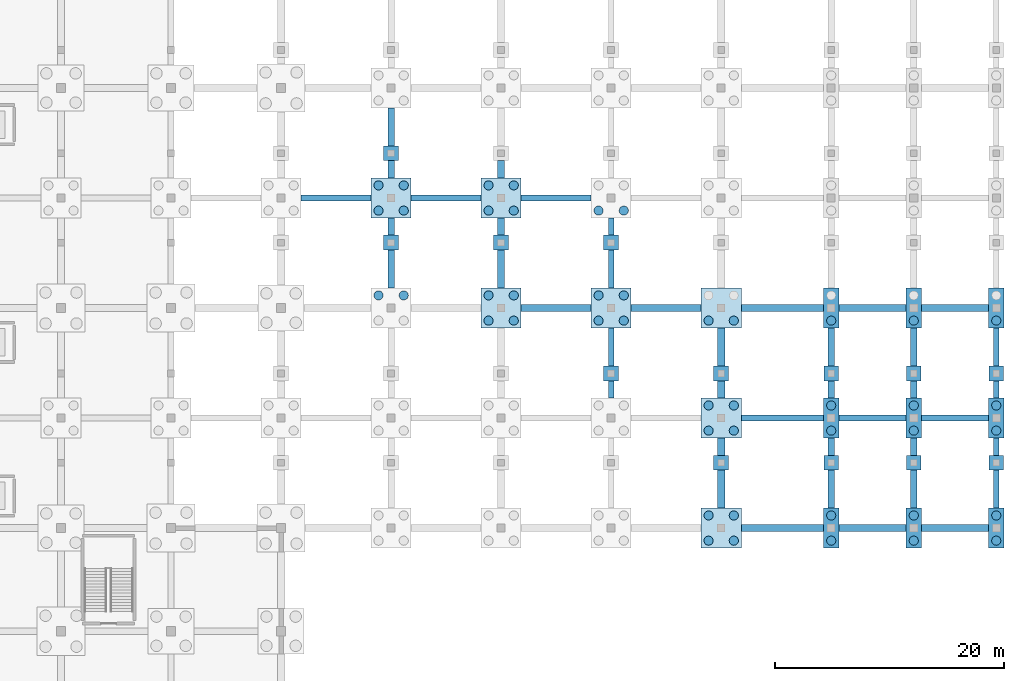
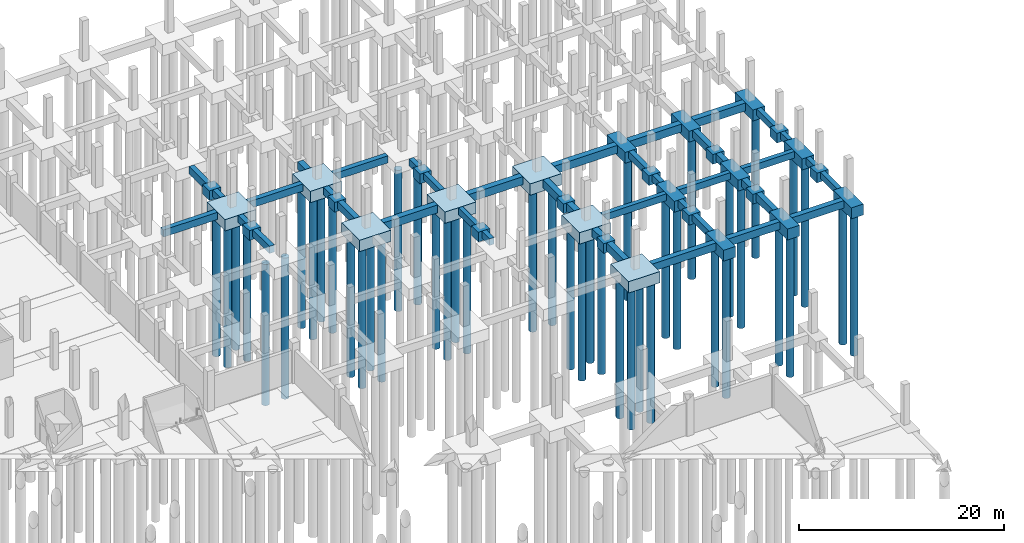
# One storey, part 14 of 39: 70 footings, 45 piles.
"""IFC4 building model written with IfcOpenShell, lengths in metres."""

from ifc_helpers import new_model, si_unit, direction, frame, origin, origin_2d, place, context, subcontext, project, spatial, polyline, rectangle, circle, outline, extrude, material, material_profile, profile_set, type_object, element, save


model = new_model("IFC4")

# Units and contexts
model_context = context("Model", 3, precision=1e-05, world=origin(), true_north=direction((0.0, 1.0)))
body_context = subcontext(model_context, "Body", "Model", "MODEL_VIEW")
ifc_project = project(units=[si_unit("LENGTHUNIT", "METRE"), si_unit("AREAUNIT", "SQUARE_METRE"), si_unit("VOLUMEUNIT", "CUBIC_METRE"), si_unit("PLANEANGLEUNIT", "RADIAN"), si_unit("MASSUNIT", "GRAM", prefix="KILO")], contexts=[model_context])

# Site, building, storey
site_placement = place(None, origin())
site = spatial("IfcSite", under=ifc_project, at=site_placement, CompositionType="ELEMENT")
building_placement = place(site_placement, origin())
building = spatial("IfcBuilding", under=site, at=building_placement, Name="Zarnetskaya Central Station", CompositionType="ELEMENT")
storey_placement = place(building_placement, frame((0.0, 0.0, -4.800048828125)))
storey = spatial("IfcBuildingStorey", under=building, at=storey_placement, Name="B1", CompositionType="ELEMENT", Elevation=-4.800048828125)

# Footings
ifc_material_1 = material(Name="Concrete C30/37", Category="concrete")
footing_type_1 = type_object("IfcFootingType", Name="FB-500x800", PredefinedType="FOOTING_BEAM", material=ifc_material_1)
footing_1_placement = place(storey_placement, frame((0.0, 0.0, -0.800048828125)))
element("IfcFooting", 1, at=footing_1_placement, inside=storey, type_object=footing_type_1, Name="Footing tie beam 10 T-U", PredefinedType="FOOTING_BEAM", context=body_context, shape_type="SweptSolid", body=[
    extrude(outline(polyline([(164.949951171875, 76.550048828125), (172.125, 76.550048828125), (172.125, 77.050048828125), (164.949951171875, 77.050048828125), (164.949951171875, 76.550048828125)])), origin(), (0.0, 0.0, 1.0), 0.800048828125),
])
footing_2_placement = place(storey_placement, frame((0.0, 0.0, -0.800048828125)))
element("IfcFooting", 2, at=footing_2_placement, inside=storey, type_object=footing_type_1, Name="Footing tie beam 10 U-V", PredefinedType="FOOTING_BEAM", context=body_context, shape_type="SweptSolid", body=[
    extrude(outline(polyline([(173.47509765625, 76.550048828125), (179.324951171875, 76.550048828125), (179.324951171875, 77.050048828125), (173.47509765625, 77.050048828125), (173.47509765625, 76.550048828125)])), origin(), (0.0, 0.0, 1.0), 0.800048828125),
])
footing_3_placement = place(storey_placement, frame((0.0, 0.0, -0.800048828125)))
element("IfcFooting", 3, at=footing_3_placement, inside=storey, type_object=footing_type_1, Name="Footing tie beam 10 V-W", PredefinedType="FOOTING_BEAM", context=body_context, shape_type="SweptSolid", body=[
    extrude(outline(polyline([(180.675048828125, 76.550048828125), (186.52490234375, 76.550048828125), (186.52490234375, 77.050048828125), (180.675048828125, 77.050048828125), (180.675048828125, 76.550048828125)])), origin(), (0.0, 0.0, 1.0), 0.800048828125),
])
footing_4_placement = place(storey_placement, frame((0.0, 0.0, -0.800048828125)))
element("IfcFooting", 4, at=footing_4_placement, inside=storey, type_object=footing_type_1, Name="Footing tie beam S 10-11 part 1", PredefinedType="FOOTING_BEAM", context=body_context, shape_type="SweptSolid", body=[
    extrude(outline(polyline([(153.35009765625, 78.550048828125), (153.85009765625, 78.550048828125), (153.85009765625, 80.050048828125), (153.35009765625, 80.050048828125), (153.35009765625, 78.550048828125)])), origin(), (0.0, 0.0, 1.0), 0.800048828125),
])
footing_5_placement = place(storey_placement, frame((0.0, 0.0, -0.800048828125)))
element("IfcFooting", 5, at=footing_5_placement, inside=storey, type_object=footing_type_1, Name="Footing tie beam S 10-11 part 2", PredefinedType="FOOTING_BEAM", context=body_context, shape_type="SweptSolid", body=[
    extrude(outline(polyline([(153.35009765625, 81.35009765625), (153.85009765625, 81.35009765625), (153.85009765625, 84.64990234375), (153.35009765625, 84.64990234375), (153.35009765625, 81.35009765625)])), origin(), (0.0, 0.0, 1.0), 0.800048828125),
])
footing_6_placement = place(storey_placement, frame((0.0, 0.0, -0.800048828125)))
element("IfcFooting", 6, at=footing_6_placement, inside=storey, type_object=footing_type_1, Name="Footing tie beam S 11-12 part 1", PredefinedType="FOOTING_BEAM", context=body_context, shape_type="SweptSolid", body=[
    extrude(outline(polyline([(153.35009765625, 88.14990234375), (153.85009765625, 88.14990234375), (153.85009765625, 91.449951171875), (153.35009765625, 91.449951171875), (153.35009765625, 88.14990234375)])), origin(), (0.0, 0.0, 1.0), 0.800048828125),
])
footing_7_placement = place(storey_placement, frame((0.0, 0.0, -0.800048828125)))
element("IfcFooting", 7, at=footing_7_placement, inside=storey, type_object=footing_type_1, Name="Footing tie beam S 11-12 part 2", PredefinedType="FOOTING_BEAM", context=body_context, shape_type="SweptSolid", body=[
    extrude(outline(polyline([(153.35009765625, 92.75), (153.85009765625, 92.75), (153.85009765625, 94.25), (153.35009765625, 94.25), (153.35009765625, 92.75)])), origin(), (0.0, 0.0, 1.0), 0.800048828125),
])
footing_8_placement = place(storey_placement, frame((0.0, 0.0, -0.800048828125)))
element("IfcFooting", 8, at=footing_8_placement, inside=storey, type_object=footing_type_1, Name="Footing tie beam W 9-10 part 1", PredefinedType="FOOTING_BEAM", context=body_context, shape_type="SweptSolid", body=[
    extrude(outline(polyline([(186.949951171875, 68.949951171875), (187.449951171875, 68.949951171875), (187.449951171875, 72.25), (186.949951171875, 72.25), (186.949951171875, 68.949951171875)])), origin(), (0.0, 0.0, 1.0), 0.800048828125),
])
footing_9_placement = place(storey_placement, frame((0.0, 0.0, -0.800048828125)))
element("IfcFooting", 9, at=footing_9_placement, inside=storey, type_object=footing_type_1, Name="Footing tie beam W 9-10 part 2", PredefinedType="FOOTING_BEAM", context=body_context, shape_type="SweptSolid", body=[
    extrude(outline(polyline([(186.949951171875, 73.550048828125), (187.449951171875, 73.550048828125), (187.449951171875, 75.050048828125), (186.949951171875, 75.050048828125), (186.949951171875, 73.550048828125)])), origin(), (0.0, 0.0, 1.0), 0.800048828125),
])
footing_10_placement = place(storey_placement, frame((0.0, 0.0, -0.800048828125)))
element("IfcFooting", 10, at=footing_10_placement, inside=storey, type_object=footing_type_1, Name="Footing tie beam W 10-11 part 1", PredefinedType="FOOTING_BEAM", context=body_context, shape_type="SweptSolid", body=[
    extrude(outline(polyline([(186.949951171875, 78.550048828125), (187.449951171875, 78.550048828125), (187.449951171875, 80.050048828125), (186.949951171875, 80.050048828125), (186.949951171875, 78.550048828125)])), origin(), (0.0, 0.0, 1.0), 0.800048828125),
])
footing_11_placement = place(storey_placement, frame((0.0, 0.0, -0.800048828125)))
element("IfcFooting", 11, at=footing_11_placement, inside=storey, type_object=footing_type_1, Name="Footing tie beam W 10-11 part 2", PredefinedType="FOOTING_BEAM", context=body_context, shape_type="SweptSolid", body=[
    extrude(outline(polyline([(186.949951171875, 81.35009765625), (187.449951171875, 81.35009765625), (187.449951171875, 84.64990234375), (186.949951171875, 84.64990234375), (186.949951171875, 81.35009765625)])), origin(), (0.0, 0.0, 1.0), 0.800048828125),
])
footing_type_2 = type_object("IfcFootingType", Name="FB-550x850", PredefinedType="FOOTING_BEAM", material=ifc_material_1)
footing_12_placement = place(storey_placement, frame((0.0, 0.0, -0.849853515625)))
element("IfcFooting", 12, at=footing_12_placement, inside=storey, type_object=footing_type_2, Name="Footing tie beam 12 P-Q", PredefinedType="FOOTING_BEAM", context=body_context, shape_type="SweptSolid", body=[
    extrude(outline(polyline([(126.550048828125, 95.72509765625), (132.64990234375, 95.72509765625), (132.64990234375, 96.27490234375), (126.550048828125, 96.27490234375), (126.550048828125, 95.72509765625)])), origin(), (0.0, 0.0, 1.0), 0.849853515625),
])
footing_13_placement = place(storey_placement, frame((0.0, 0.0, -0.849853515625)))
element("IfcFooting", 13, at=footing_13_placement, inside=storey, type_object=footing_type_2, Name="Footing tie beam 12 Q-R", PredefinedType="FOOTING_BEAM", context=body_context, shape_type="SweptSolid", body=[
    extrude(outline(polyline([(136.14990234375, 95.72509765625), (142.25, 95.72509765625), (142.25, 96.27490234375), (136.14990234375, 96.27490234375), (136.14990234375, 95.72509765625)])), origin(), (0.0, 0.0, 1.0), 0.849853515625),
])
footing_14_placement = place(storey_placement, frame((0.0, 0.0, -0.849853515625)))
element("IfcFooting", 14, at=footing_14_placement, inside=storey, type_object=footing_type_2, Name="Footing tie beam 12 R-S", PredefinedType="FOOTING_BEAM", context=body_context, shape_type="SweptSolid", body=[
    extrude(outline(polyline([(145.75, 95.72509765625), (151.85009765625, 95.72509765625), (151.85009765625, 96.27490234375), (145.75, 96.27490234375), (145.75, 95.72509765625)])), origin(), (0.0, 0.0, 1.0), 0.849853515625),
])
footing_15_placement = place(storey_placement, frame((0.0, 0.0, -0.849853515625)))
element("IfcFooting", 15, at=footing_15_placement, inside=storey, type_object=footing_type_2, Name="Footing tie beam Q 11-12 part 1", PredefinedType="FOOTING_BEAM", context=body_context, shape_type="SweptSolid", body=[
    extrude(outline(polyline([(134.125, 88.14990234375), (134.675048828125, 88.14990234375), (134.675048828125, 91.449951171875), (134.125, 91.449951171875), (134.125, 88.14990234375)])), origin(), (0.0, 0.0, 1.0), 0.849853515625),
])
footing_16_placement = place(storey_placement, frame((0.0, 0.0, -0.849853515625)))
element("IfcFooting", 16, at=footing_16_placement, inside=storey, type_object=footing_type_2, Name="Footing tie beam Q 11-12 part 2", PredefinedType="FOOTING_BEAM", context=body_context, shape_type="SweptSolid", body=[
    extrude(outline(polyline([(134.125, 92.75), (134.675048828125, 92.75), (134.675048828125, 94.25), (134.125, 94.25), (134.125, 92.75)])), origin(), (0.0, 0.0, 1.0), 0.849853515625),
])
footing_17_placement = place(storey_placement, frame((0.0, 0.0, -0.849853515625)))
element("IfcFooting", 17, at=footing_17_placement, inside=storey, type_object=footing_type_2, Name="Footing tie beam Q 12-13 part 1", PredefinedType="FOOTING_BEAM", context=body_context, shape_type="SweptSolid", body=[
    extrude(outline(polyline([(134.125, 97.75), (134.675048828125, 97.75), (134.675048828125, 99.25), (134.125, 99.25), (134.125, 97.75)])), origin(), (0.0, 0.0, 1.0), 0.849853515625),
])
footing_18_placement = place(storey_placement, frame((0.0, 0.0, -0.849853515625)))
element("IfcFooting", 18, at=footing_18_placement, inside=storey, type_object=footing_type_2, Name="Footing tie beam Q 12-13 part 2", PredefinedType="FOOTING_BEAM", context=body_context, shape_type="SweptSolid", body=[
    extrude(outline(polyline([(134.125, 100.550048828125), (134.675048828125, 100.550048828125), (134.675048828125, 103.85009765625), (134.125, 103.85009765625), (134.125, 100.550048828125)])), origin(), (0.0, 0.0, 1.0), 0.849853515625),
])
footing_19_placement = place(storey_placement, frame((0.0, 0.0, -0.849853515625)))
element("IfcFooting", 19, at=footing_19_placement, inside=storey, type_object=footing_type_2, Name="Footing tie beam U 9-10 part 1", PredefinedType="FOOTING_BEAM", context=body_context, shape_type="SweptSolid", body=[
    extrude(outline(polyline([(172.52490234375, 68.949951171875), (173.074951171875, 68.949951171875), (173.074951171875, 72.25), (172.52490234375, 72.25), (172.52490234375, 68.949951171875)])), origin(), (0.0, 0.0, 1.0), 0.849853515625),
])
footing_20_placement = place(storey_placement, frame((0.0, 0.0, -0.849853515625)))
element("IfcFooting", 20, at=footing_20_placement, inside=storey, type_object=footing_type_2, Name="Footing tie beam U 9-10 part 2", PredefinedType="FOOTING_BEAM", context=body_context, shape_type="SweptSolid", body=[
    extrude(outline(polyline([(172.52490234375, 73.550048828125), (173.074951171875, 73.550048828125), (173.074951171875, 75.050048828125), (172.52490234375, 75.050048828125), (172.52490234375, 73.550048828125)])), origin(), (0.0, 0.0, 1.0), 0.849853515625),
])
footing_21_placement = place(storey_placement, frame((0.0, 0.0, -0.849853515625)))
element("IfcFooting", 21, at=footing_21_placement, inside=storey, type_object=footing_type_2, Name="Footing tie beam U 10-11 part 1", PredefinedType="FOOTING_BEAM", context=body_context, shape_type="SweptSolid", body=[
    extrude(outline(polyline([(172.52490234375, 78.550048828125), (173.074951171875, 78.550048828125), (173.074951171875, 80.050048828125), (172.52490234375, 80.050048828125), (172.52490234375, 78.550048828125)])), origin(), (0.0, 0.0, 1.0), 0.849853515625),
])
footing_22_placement = place(storey_placement, frame((0.0, 0.0, -0.849853515625)))
element("IfcFooting", 22, at=footing_22_placement, inside=storey, type_object=footing_type_2, Name="Footing tie beam U 10-11 part 2", PredefinedType="FOOTING_BEAM", context=body_context, shape_type="SweptSolid", body=[
    extrude(outline(polyline([(172.52490234375, 81.35009765625), (173.074951171875, 81.35009765625), (173.074951171875, 84.64990234375), (172.52490234375, 84.64990234375), (172.52490234375, 81.35009765625)])), origin(), (0.0, 0.0, 1.0), 0.849853515625),
])
footing_type_3 = type_object("IfcFootingType", Name="FB-600x900", PredefinedType="FOOTING_BEAM", material=ifc_material_1)
footing_23_placement = place(storey_placement, frame((0.0, 0.0, -0.89990234375)))
element("IfcFooting", 23, at=footing_23_placement, inside=storey, type_object=footing_type_3, Name="Footing tie beam 9 T-U", PredefinedType="FOOTING_BEAM", context=body_context, shape_type="SweptSolid", body=[
    extrude(outline(polyline([(164.949951171875, 66.89990234375), (172.125, 66.89990234375), (172.125, 67.5), (164.949951171875, 67.5), (164.949951171875, 66.89990234375)])), origin(), (0.0, 0.0, 1.0), 0.89990234375),
])
footing_24_placement = place(storey_placement, frame((0.0, 0.0, -0.89990234375)))
element("IfcFooting", 24, at=footing_24_placement, inside=storey, type_object=footing_type_3, Name="Footing tie beam 9 U-V", PredefinedType="FOOTING_BEAM", context=body_context, shape_type="SweptSolid", body=[
    extrude(outline(polyline([(173.47509765625, 66.89990234375), (179.324951171875, 66.89990234375), (179.324951171875, 67.5), (173.47509765625, 67.5), (173.47509765625, 66.89990234375)])), origin(), (0.0, 0.0, 1.0), 0.89990234375),
])
footing_25_placement = place(storey_placement, frame((0.0, 0.0, -0.89990234375)))
element("IfcFooting", 25, at=footing_25_placement, inside=storey, type_object=footing_type_3, Name="Footing tie beam 9 V-W", PredefinedType="FOOTING_BEAM", context=body_context, shape_type="SweptSolid", body=[
    extrude(outline(polyline([(180.675048828125, 66.89990234375), (186.52490234375, 66.89990234375), (186.52490234375, 67.5), (180.675048828125, 67.5), (180.675048828125, 66.89990234375)])), origin(), (0.0, 0.0, 1.0), 0.89990234375),
])
footing_26_placement = place(storey_placement, frame((0.0, 0.0, -0.89990234375)))
element("IfcFooting", 26, at=footing_26_placement, inside=storey, type_object=footing_type_3, Name="Footing tie beam R 11-12 part 1", PredefinedType="FOOTING_BEAM", context=body_context, shape_type="SweptSolid", body=[
    extrude(outline(polyline([(143.699951171875, 88.14990234375), (144.300048828125, 88.14990234375), (144.300048828125, 91.449951171875), (143.699951171875, 91.449951171875), (143.699951171875, 88.14990234375)])), origin(), (0.0, 0.0, 1.0), 0.89990234375),
])
footing_27_placement = place(storey_placement, frame((0.0, 0.0, -0.89990234375)))
element("IfcFooting", 27, at=footing_27_placement, inside=storey, type_object=footing_type_3, Name="Footing tie beam R 11-12 part 2", PredefinedType="FOOTING_BEAM", context=body_context, shape_type="SweptSolid", body=[
    extrude(outline(polyline([(143.699951171875, 92.75), (144.300048828125, 92.75), (144.300048828125, 94.25), (143.699951171875, 94.25), (143.699951171875, 92.75)])), origin(), (0.0, 0.0, 1.0), 0.89990234375),
])
footing_28_placement = place(storey_placement, frame((0.0, 0.0, -0.89990234375)))
element("IfcFooting", 28, at=footing_28_placement, inside=storey, type_object=footing_type_3, Name="Footing tie beam R 12-13 part 1", PredefinedType="FOOTING_BEAM", context=body_context, shape_type="SweptSolid", body=[
    extrude(outline(polyline([(143.699951171875, 97.75), (144.300048828125, 97.75), (144.300048828125, 99.25), (143.699951171875, 99.25), (143.699951171875, 97.75)])), origin(), (0.0, 0.0, 1.0), 0.89990234375),
])
footing_29_placement = place(storey_placement, frame((0.0, 0.0, -0.89990234375)))
element("IfcFooting", 29, at=footing_29_placement, inside=storey, type_object=footing_type_3, Name="Footing tie beam V 9-10 part 1", PredefinedType="FOOTING_BEAM", context=body_context, shape_type="SweptSolid", body=[
    extrude(outline(polyline([(179.699951171875, 68.949951171875), (180.300048828125, 68.949951171875), (180.300048828125, 72.25), (179.699951171875, 72.25), (179.699951171875, 68.949951171875)])), origin(), (0.0, 0.0, 1.0), 0.89990234375),
])
footing_30_placement = place(storey_placement, frame((0.0, 0.0, -0.89990234375)))
element("IfcFooting", 30, at=footing_30_placement, inside=storey, type_object=footing_type_3, Name="Footing tie beam V 9-10 part 2", PredefinedType="FOOTING_BEAM", context=body_context, shape_type="SweptSolid", body=[
    extrude(outline(polyline([(179.699951171875, 73.550048828125), (180.300048828125, 73.550048828125), (180.300048828125, 75.050048828125), (179.699951171875, 75.050048828125), (179.699951171875, 73.550048828125)])), origin(), (0.0, 0.0, 1.0), 0.89990234375),
])
footing_31_placement = place(storey_placement, frame((0.0, 0.0, -0.89990234375)))
element("IfcFooting", 31, at=footing_31_placement, inside=storey, type_object=footing_type_3, Name="Footing tie beam V 10-11 part 1", PredefinedType="FOOTING_BEAM", context=body_context, shape_type="SweptSolid", body=[
    extrude(outline(polyline([(179.699951171875, 78.550048828125), (180.300048828125, 78.550048828125), (180.300048828125, 80.050048828125), (179.699951171875, 80.050048828125), (179.699951171875, 78.550048828125)])), origin(), (0.0, 0.0, 1.0), 0.89990234375),
])
footing_32_placement = place(storey_placement, frame((0.0, 0.0, -0.89990234375)))
element("IfcFooting", 32, at=footing_32_placement, inside=storey, type_object=footing_type_3, Name="Footing tie beam V 10-11 part 2", PredefinedType="FOOTING_BEAM", context=body_context, shape_type="SweptSolid", body=[
    extrude(outline(polyline([(179.699951171875, 81.35009765625), (180.300048828125, 81.35009765625), (180.300048828125, 84.64990234375), (179.699951171875, 84.64990234375), (179.699951171875, 81.35009765625)])), origin(), (0.0, 0.0, 1.0), 0.89990234375),
])
footing_type_4 = type_object("IfcFootingType", Name="FB-650x950", PredefinedType="FOOTING_BEAM", material=ifc_material_1)
footing_33_placement = place(storey_placement, frame((0.0, 0.0, -0.949951171875)))
element("IfcFooting", 33, at=footing_33_placement, inside=storey, type_object=footing_type_4, Name="Footing tie beam 11 R-S", PredefinedType="FOOTING_BEAM", context=body_context, shape_type="SweptSolid", body=[
    extrude(outline(polyline([(145.75, 86.074951171875), (151.85009765625, 86.074951171875), (151.85009765625, 86.72509765625), (145.75, 86.72509765625), (145.75, 86.074951171875)])), origin(), (0.0, 0.0, 1.0), 0.949951171875),
])
footing_34_placement = place(storey_placement, frame((0.0, 0.0, -0.949951171875)))
element("IfcFooting", 34, at=footing_34_placement, inside=storey, type_object=footing_type_4, Name="Footing tie beam 11 S-T", PredefinedType="FOOTING_BEAM", context=body_context, shape_type="SweptSolid", body=[
    extrude(outline(polyline([(155.35009765625, 86.074951171875), (161.449951171875, 86.074951171875), (161.449951171875, 86.72509765625), (155.35009765625, 86.72509765625), (155.35009765625, 86.074951171875)])), origin(), (0.0, 0.0, 1.0), 0.949951171875),
])
footing_35_placement = place(storey_placement, frame((0.0, 0.0, -0.949951171875)))
element("IfcFooting", 35, at=footing_35_placement, inside=storey, type_object=footing_type_4, Name="Footing tie beam 11 T-U", PredefinedType="FOOTING_BEAM", context=body_context, shape_type="SweptSolid", body=[
    extrude(outline(polyline([(164.949951171875, 86.074951171875), (172.125, 86.074951171875), (172.125, 86.72509765625), (164.949951171875, 86.72509765625), (164.949951171875, 86.074951171875)])), origin(), (0.0, 0.0, 1.0), 0.949951171875),
])
footing_36_placement = place(storey_placement, frame((0.0, 0.0, -0.949951171875)))
element("IfcFooting", 36, at=footing_36_placement, inside=storey, type_object=footing_type_4, Name="Footing tie beam 11 U-V", PredefinedType="FOOTING_BEAM", context=body_context, shape_type="SweptSolid", body=[
    extrude(outline(polyline([(173.47509765625, 86.074951171875), (179.324951171875, 86.074951171875), (179.324951171875, 86.72509765625), (173.47509765625, 86.72509765625), (173.47509765625, 86.074951171875)])), origin(), (0.0, 0.0, 1.0), 0.949951171875),
])
footing_37_placement = place(storey_placement, frame((0.0, 0.0, -0.949951171875)))
element("IfcFooting", 37, at=footing_37_placement, inside=storey, type_object=footing_type_4, Name="Footing tie beam 11 V-W", PredefinedType="FOOTING_BEAM", context=body_context, shape_type="SweptSolid", body=[
    extrude(outline(polyline([(180.675048828125, 86.074951171875), (186.52490234375, 86.074951171875), (186.52490234375, 86.72509765625), (180.675048828125, 86.72509765625), (180.675048828125, 86.074951171875)])), origin(), (0.0, 0.0, 1.0), 0.949951171875),
])
footing_38_placement = place(storey_placement, frame((0.0, 0.0, -0.949951171875)))
element("IfcFooting", 38, at=footing_38_placement, inside=storey, type_object=footing_type_4, Name="Footing tie beam T 9-10 part 1", PredefinedType="FOOTING_BEAM", context=body_context, shape_type="SweptSolid", body=[
    extrude(outline(polyline([(162.875, 68.949951171875), (163.52490234375, 68.949951171875), (163.52490234375, 72.25), (162.875, 72.25), (162.875, 68.949951171875)])), origin(), (0.0, 0.0, 1.0), 0.949951171875),
])
footing_39_placement = place(storey_placement, frame((0.0, 0.0, -0.949951171875)))
element("IfcFooting", 39, at=footing_39_placement, inside=storey, type_object=footing_type_4, Name="Footing tie beam T 9-10 part 2", PredefinedType="FOOTING_BEAM", context=body_context, shape_type="SweptSolid", body=[
    extrude(outline(polyline([(162.875, 73.550048828125), (163.52490234375, 73.550048828125), (163.52490234375, 75.050048828125), (162.875, 75.050048828125), (162.875, 73.550048828125)])), origin(), (0.0, 0.0, 1.0), 0.949951171875),
])
footing_40_placement = place(storey_placement, frame((0.0, 0.0, -0.949951171875)))
element("IfcFooting", 40, at=footing_40_placement, inside=storey, type_object=footing_type_4, Name="Footing tie beam T 10-11 part 1", PredefinedType="FOOTING_BEAM", context=body_context, shape_type="SweptSolid", body=[
    extrude(outline(polyline([(162.875, 78.550048828125), (163.52490234375, 78.550048828125), (163.52490234375, 80.050048828125), (162.875, 80.050048828125), (162.875, 78.550048828125)])), origin(), (0.0, 0.0, 1.0), 0.949951171875),
])
footing_41_placement = place(storey_placement, frame((0.0, 0.0, -0.949951171875)))
element("IfcFooting", 41, at=footing_41_placement, inside=storey, type_object=footing_type_4, Name="Footing tie beam T 10-11 part 2", PredefinedType="FOOTING_BEAM", context=body_context, shape_type="SweptSolid", body=[
    extrude(outline(polyline([(162.875, 81.35009765625), (163.52490234375, 81.35009765625), (163.52490234375, 84.64990234375), (162.875, 84.64990234375), (162.875, 81.35009765625)])), origin(), (0.0, 0.0, 1.0), 0.949951171875),
])
ifc_material_2 = material(Name="Concrete C35/45", Category="concrete")
footing_type_5 = type_object("IfcFootingType", Name="PAD-PIER-130", PredefinedType="PAD_FOOTING", material=ifc_material_2)
for number, where, z_axis, x_axis, name in (
    (42, (163.199951171875, 72.89990234375, -1.14990234375), (0.0, 0.0, 1.0), (1.0, 0.0, 0.0), "Platform pier pad P1-TN"),
    (43, (172.800048828125, 72.89990234375, -1.14990234375), (0.0, 0.0, 1.0), (1.0, 0.0, 0.0), "Platform pier pad P1-UN"),
    (44, (180.0, 72.89990234375, -1.14990234375), (0.0, 0.0, 1.0), (1.0, 0.0, 0.0), "Platform pier pad P1-VN"),
    (45, (187.199951171875, 72.89990234375, -1.14990234375), (0.0, 0.0, 1.0), (1.0, 0.0, 0.0), "Platform pier pad P1-WN"),
    (46, (134.39990234375, 92.10009765625, -1.14990234375), (0.0, 0.0, 1.0), (1.0, 0.0, 0.0), "Platform pier pad P2-QN"),
    (47, (144.0, 92.10009765625, -1.14990234375), (0.0, 0.0, 1.0), (1.0, 0.0, 0.0), "Platform pier pad P2-RN"),
    (48, (153.60009765625, 80.699951171875, -1.14990234375), (0.0, 0.0, 1.0), (1.0, 0.0, 0.0), "Platform pier pad P2-SS"),
    (49, (153.60009765625, 92.10009765625, -1.14990234375), (0.0, 0.0, 1.0), (1.0, 0.0, 0.0), "Platform pier pad P2-SN"),
    (50, (163.199951171875, 80.699951171875, -1.14990234375), (0.0, 0.0, 1.0), (1.0, 0.0, 0.0), "Platform pier pad P2-TS"),
    (51, (172.800048828125, 80.699951171875, -1.14990234375), (0.0, 0.0, 1.0), (1.0, 0.0, 0.0), "Platform pier pad P2-US"),
    (52, (180.0, 80.699951171875, -1.14990234375), (0.0, 0.0, 1.0), (1.0, 0.0, 0.0), "Platform pier pad P2-VS"),
    (53, (187.199951171875, 80.699951171875, -1.14990234375), (0.0, 0.0, 1.0), (1.0, 0.0, 0.0), "Platform pier pad P2-WS"),
    (54, (134.39990234375, 99.89990234375, -1.14990234375), (0.0, 0.0, 1.0), (1.0, 0.0, 0.0), "Platform pier pad P3-QS"),
):
    element("IfcFooting", number, at=place(storey_placement, frame(where, z_axis=z_axis, x_axis=x_axis)), inside=storey, type_object=footing_type_5, Name=name, PredefinedType="PAD_FOOTING", context=body_context, shape_type="SweptSolid", body=[
        extrude(rectangle(XDim=1.300048828125, YDim=1.300048828125, at=origin_2d()), origin(), (0.0, 0.0, 1.0), 1.14990234375),
    ])
footing_type_6 = type_object("IfcFootingType", Name="PC-2P-800Y", PredefinedType="PILE_CAP", material=ifc_material_2)
for number, where, z_axis, x_axis, name in (
    (55, (172.800048828125, 67.199951171875, -1.2998046875), (0.0, 0.0, 1.0), (1.0, 0.0, 0.0), "Pile cap U9"),
    (56, (172.800048828125, 76.800048828125, -1.2998046875), (0.0, 0.0, 1.0), (1.0, 0.0, 0.0), "Pile cap U10"),
    (57, (172.800048828125, 86.39990234375, -1.2998046875), (0.0, 0.0, 1.0), (1.0, 0.0, 0.0), "Pile cap U11"),
    (58, (180.0, 67.199951171875, -1.2998046875), (0.0, 0.0, 1.0), (1.0, 0.0, 0.0), "Pile cap V9"),
    (59, (180.0, 76.800048828125, -1.2998046875), (0.0, 0.0, 1.0), (1.0, 0.0, 0.0), "Pile cap V10"),
    (60, (180.0, 86.39990234375, -1.2998046875), (0.0, 0.0, 1.0), (1.0, 0.0, 0.0), "Pile cap V11"),
    (61, (187.199951171875, 67.199951171875, -1.2998046875), (0.0, 0.0, 1.0), (1.0, 0.0, 0.0), "Pile cap W9"),
    (62, (187.199951171875, 76.800048828125, -1.2998046875), (0.0, 0.0, 1.0), (1.0, 0.0, 0.0), "Pile cap W10"),
    (63, (187.199951171875, 86.39990234375, -1.2998046875), (0.0, 0.0, 1.0), (1.0, 0.0, 0.0), "Pile cap W11"),
):
    element("IfcFooting", number, at=place(storey_placement, frame(where, z_axis=z_axis, x_axis=x_axis)), inside=storey, type_object=footing_type_6, Name=name, PredefinedType="PILE_CAP", context=body_context, shape_type="SweptSolid", body=[
        extrude(rectangle(XDim=1.35009765625, YDim=3.5, at=origin_2d()), origin(), (0.0, 0.0, 1.0), 1.300048828125),
    ])
footing_type_7 = type_object("IfcFootingType", Name="PC-4P-800A", PredefinedType="PILE_CAP", material=ifc_material_2)
for number, where, z_axis, x_axis, name in (
    (64, (134.39990234375, 96.0, -1.35009765625), (0.0, 0.0, 1.0), (1.0, 0.0, 0.0), "Pile cap Q12"),
    (65, (144.0, 86.39990234375, -1.35009765625), (0.0, 0.0, 1.0), (1.0, 0.0, 0.0), "Pile cap R11"),
    (66, (144.0, 96.0, -1.35009765625), (0.0, 0.0, 1.0), (1.0, 0.0, 0.0), "Pile cap R12"),
    (67, (153.60009765625, 86.39990234375, -1.35009765625), (0.0, 0.0, 1.0), (1.0, 0.0, 0.0), "Pile cap S11"),
    (68, (163.199951171875, 67.199951171875, -1.35009765625), (0.0, 0.0, 1.0), (1.0, 0.0, 0.0), "Pile cap T9"),
    (69, (163.199951171875, 76.800048828125, -1.35009765625), (0.0, 0.0, 1.0), (1.0, 0.0, 0.0), "Pile cap T10"),
    (70, (163.199951171875, 86.39990234375, -1.35009765625), (0.0, 0.0, 1.0), (1.0, 0.0, 0.0), "Pile cap T11"),
):
    element("IfcFooting", number, at=place(storey_placement, frame(where, z_axis=z_axis, x_axis=x_axis)), inside=storey, type_object=footing_type_7, Name=name, PredefinedType="PILE_CAP", context=body_context, shape_type="SweptSolid", body=[
        extrude(rectangle(XDim=3.5, YDim=3.5, at=origin_2d()), origin(), (0.0, 0.0, 1.0), 1.35009765625),
    ])

# Piles
ifc_material_profile = material_profile(ifc_material_2, circle(Radius=0.39990234375, at=origin_2d()), Name="BORED PILE D800")
ifc_profile_set = profile_set([ifc_material_profile], Name="Concrete C35/45")
pile_type = type_object("IfcPileType", Name="PILE-D800", PredefinedType="BORED", material=ifc_profile_set)
for number, where, z_axis, x_axis, name in (
    (71, (133.300048828125, 87.5, -1.199951171875), (0.0, 0.0, -1.0), (1.0, 0.0, 0.0), "Bored pile Q11-12"),
    (72, (135.5, 87.5, -1.199951171875), (0.0, 0.0, -1.0), (1.0, 0.0, 0.0), "Bored pile Q11-22"),
    (73, (133.300048828125, 94.89990234375, -1.199951171875), (0.0, 0.0, -1.0), (1.0, 0.0, 0.0), "Bored pile Q12-11"),
    (74, (133.300048828125, 97.10009765625, -1.199951171875), (0.0, 0.0, -1.0), (1.0, 0.0, 0.0), "Bored pile Q12-12"),
    (75, (135.5, 94.89990234375, -1.199951171875), (0.0, 0.0, -1.0), (1.0, 0.0, 0.0), "Bored pile Q12-21"),
    (76, (135.5, 97.10009765625, -1.199951171875), (0.0, 0.0, -1.0), (1.0, 0.0, 0.0), "Bored pile Q12-22"),
    (77, (142.89990234375, 85.300048828125, -1.199951171875), (0.0, 0.0, -1.0), (1.0, 0.0, 0.0), "Bored pile R11-11"),
    (78, (142.89990234375, 87.5, -1.199951171875), (0.0, 0.0, -1.0), (1.0, 0.0, 0.0), "Bored pile R11-12"),
    (79, (145.10009765625, 85.300048828125, -1.199951171875), (0.0, 0.0, -1.0), (1.0, 0.0, 0.0), "Bored pile R11-21"),
    (80, (145.10009765625, 87.5, -1.199951171875), (0.0, 0.0, -1.0), (1.0, 0.0, 0.0), "Bored pile R11-22"),
    (81, (142.89990234375, 94.89990234375, -1.199951171875), (0.0, 0.0, -1.0), (1.0, 0.0, 0.0), "Bored pile R12-11"),
    (82, (142.89990234375, 97.10009765625, -1.199951171875), (0.0, 0.0, -1.0), (1.0, 0.0, 0.0), "Bored pile R12-12"),
    (83, (145.10009765625, 94.89990234375, -1.199951171875), (0.0, 0.0, -1.0), (1.0, 0.0, 0.0), "Bored pile R12-21"),
    (84, (145.10009765625, 97.10009765625, -1.199951171875), (0.0, 0.0, -1.0), (1.0, 0.0, 0.0), "Bored pile R12-22"),
    (85, (152.5, 85.300048828125, -1.199951171875), (0.0, 0.0, -1.0), (1.0, 0.0, 0.0), "Bored pile S11-11"),
    (86, (152.5, 87.5, -1.199951171875), (0.0, 0.0, -1.0), (1.0, 0.0, 0.0), "Bored pile S11-12"),
    (87, (154.699951171875, 85.300048828125, -1.199951171875), (0.0, 0.0, -1.0), (1.0, 0.0, 0.0), "Bored pile S11-21"),
    (88, (154.699951171875, 87.5, -1.199951171875), (0.0, 0.0, -1.0), (1.0, 0.0, 0.0), "Bored pile S11-22"),
    (89, (152.5, 94.89990234375, -1.199951171875), (0.0, 0.0, -1.0), (1.0, 0.0, 0.0), "Bored pile S12-11"),
    (90, (154.699951171875, 94.89990234375, -1.199951171875), (0.0, 0.0, -1.0), (1.0, 0.0, 0.0), "Bored pile S12-21"),
    (91, (162.10009765625, 66.10009765625, -1.199951171875), (0.0, 0.0, -1.0), (1.0, 0.0, 0.0), "Bored pile T9-11"),
    (92, (162.10009765625, 68.300048828125, -1.199951171875), (0.0, 0.0, -1.0), (1.0, 0.0, 0.0), "Bored pile T9-12"),
    (93, (164.300048828125, 66.10009765625, -1.199951171875), (0.0, 0.0, -1.0), (1.0, 0.0, 0.0), "Bored pile T9-21"),
    (94, (164.300048828125, 68.300048828125, -1.199951171875), (0.0, 0.0, -1.0), (1.0, 0.0, 0.0), "Bored pile T9-22"),
    (95, (162.10009765625, 75.699951171875, -1.199951171875), (0.0, 0.0, -1.0), (1.0, 0.0, 0.0), "Bored pile T10-11"),
    (96, (162.10009765625, 77.89990234375, -1.199951171875), (0.0, 0.0, -1.0), (1.0, 0.0, 0.0), "Bored pile T10-12"),
    (97, (164.300048828125, 75.699951171875, -1.199951171875), (0.0, 0.0, -1.0), (1.0, 0.0, 0.0), "Bored pile T10-21"),
    (98, (164.300048828125, 77.89990234375, -1.199951171875), (0.0, 0.0, -1.0), (1.0, 0.0, 0.0), "Bored pile T10-22"),
    (99, (162.10009765625, 85.300048828125, -1.199951171875), (0.0, 0.0, -1.0), (1.0, 0.0, 0.0), "Bored pile T11-11"),
    (100, (164.300048828125, 85.300048828125, -1.199951171875), (0.0, 0.0, -1.0), (1.0, 0.0, 0.0), "Bored pile T11-21"),
):
    element("IfcPile", number, at=place(storey_placement, frame(where, z_axis=z_axis, x_axis=x_axis)), inside=storey, type_object=pile_type, Name=name, PredefinedType="BORED", context=body_context, shape_type="SweptSolid", body=[
        extrude(circle(Radius=0.39990234375, at=origin_2d()), origin(), (0.0, 0.0, 1.0), 16.800048828125),
    ])
for number, where, z_axis, x_axis, name in (
    (101, (172.800048828125, 66.10009765625, -1.14990234375), (0.0, 0.0, -1.0), (1.0, 0.0, 0.0), "Bored pile U9-11"),
    (102, (172.800048828125, 68.300048828125, -1.14990234375), (0.0, 0.0, -1.0), (1.0, 0.0, 0.0), "Bored pile U9-12"),
    (103, (172.800048828125, 75.699951171875, -1.14990234375), (0.0, 0.0, -1.0), (1.0, 0.0, 0.0), "Bored pile U10-11"),
    (104, (172.800048828125, 77.89990234375, -1.14990234375), (0.0, 0.0, -1.0), (1.0, 0.0, 0.0), "Bored pile U10-12"),
    (105, (172.800048828125, 85.300048828125, -1.14990234375), (0.0, 0.0, -1.0), (1.0, 0.0, 0.0), "Bored pile U11-11"),
    (106, (180.0, 66.10009765625, -1.14990234375), (0.0, 0.0, -1.0), (1.0, 0.0, 0.0), "Bored pile V9-11"),
    (107, (180.0, 68.300048828125, -1.14990234375), (0.0, 0.0, -1.0), (1.0, 0.0, 0.0), "Bored pile V9-12"),
    (108, (180.0, 75.699951171875, -1.14990234375), (0.0, 0.0, -1.0), (1.0, 0.0, 0.0), "Bored pile V10-11"),
    (109, (180.0, 77.89990234375, -1.14990234375), (0.0, 0.0, -1.0), (1.0, 0.0, 0.0), "Bored pile V10-12"),
    (110, (180.0, 85.300048828125, -1.14990234375), (0.0, 0.0, -1.0), (1.0, 0.0, 0.0), "Bored pile V11-11"),
    (111, (187.199951171875, 66.10009765625, -1.14990234375), (0.0, 0.0, -1.0), (1.0, 0.0, 0.0), "Bored pile W9-11"),
    (112, (187.199951171875, 68.300048828125, -1.14990234375), (0.0, 0.0, -1.0), (1.0, 0.0, 0.0), "Bored pile W9-12"),
    (113, (187.199951171875, 75.699951171875, -1.14990234375), (0.0, 0.0, -1.0), (1.0, 0.0, 0.0), "Bored pile W10-11"),
    (114, (187.199951171875, 77.89990234375, -1.14990234375), (0.0, 0.0, -1.0), (1.0, 0.0, 0.0), "Bored pile W10-12"),
    (115, (187.199951171875, 85.300048828125, -1.14990234375), (0.0, 0.0, -1.0), (1.0, 0.0, 0.0), "Bored pile W11-11"),
):
    element("IfcPile", number, at=place(storey_placement, frame(where, z_axis=z_axis, x_axis=x_axis)), inside=storey, type_object=pile_type, Name=name, PredefinedType="BORED", context=body_context, shape_type="SweptSolid", body=[
        extrude(circle(Radius=0.39990234375, at=origin_2d()), origin(), (0.0, 0.0, 1.0), 16.85009765625),
    ])

save(model, "model.ifc")
